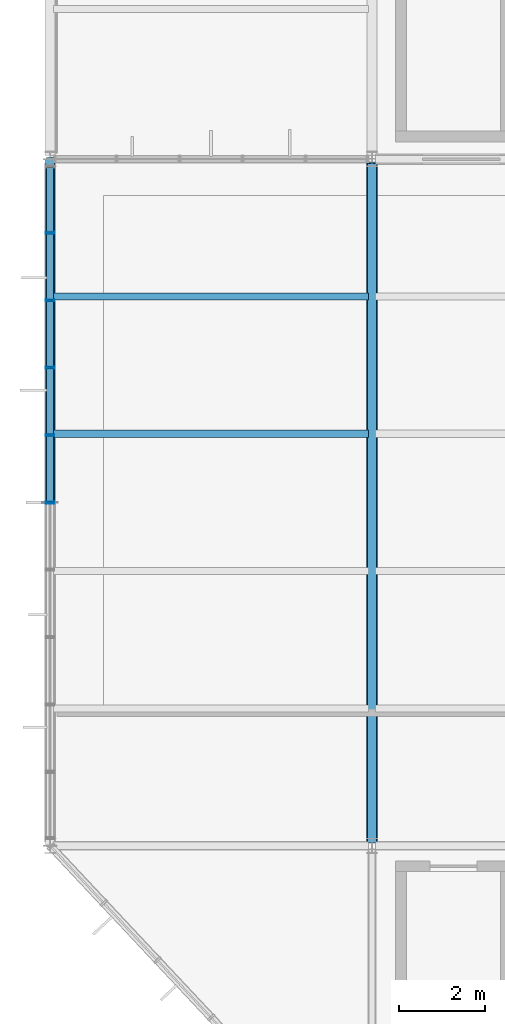
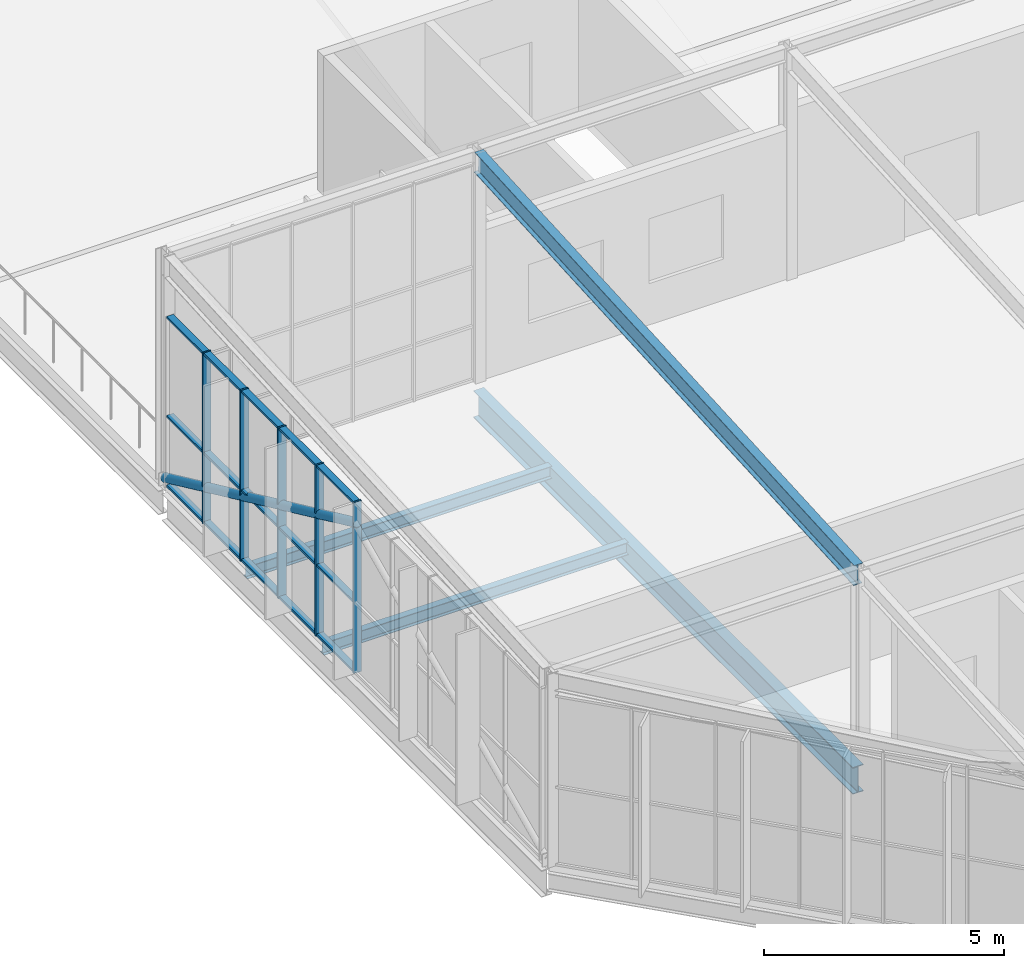
# One storey, part 16 of 104: 21 members, 4 beams, 1 element without a shape of its own.
"""IFC4 building model written with IfcOpenShell, lengths in metres."""

from ifc_helpers import new_model, si_unit, direction, frame, origin, origin_2d, place, context, subcontext, project, spatial, hollow_rectangle, hollow_circle, i_section, extrude, material, layer, layer_set, material_profile, profile_set, type_object, element, aggregate, save


model = new_model("IFC4")

# Units and contexts
model_context = context("Model", 3, precision=1e-05, world=origin(), true_north=direction((0.0, 1.0)))
body_context = subcontext(model_context, "Body", "Model", "MODEL_VIEW")
ifc_project = project(units=[si_unit("LENGTHUNIT", "METRE"), si_unit("AREAUNIT", "SQUARE_METRE"), si_unit("VOLUMEUNIT", "CUBIC_METRE"), si_unit("PLANEANGLEUNIT", "RADIAN"), si_unit("MASSUNIT", "GRAM", prefix="KILO")], contexts=[model_context])

# Site, building, storey
site_placement = place(None, origin())
site = spatial("IfcSite", under=ifc_project, at=site_placement, CompositionType="ELEMENT")
building_placement = place(site_placement, origin())
building = spatial("IfcBuilding", under=site, at=building_placement, Name="Solvenia Promenade Tram Depot", CompositionType="ELEMENT")
storey_placement = place(building_placement, frame((0.0, 0.0, 9.0)))
storey = spatial("IfcBuildingStorey", under=building, at=storey_placement, Name="L02", CompositionType="ELEMENT", Elevation=9.0)

# Member
ifc_material_1 = material(Name="Structural steel ASTM A500 Gr. C", Category="steel")
ifc_material_profile_1 = material_profile(ifc_material_1, hollow_circle(Radius=0.109619140625, WallThickness=0.008056640625, at=origin_2d()), Name="CHS219.1x8", Category="steel")
ifc_profile_set_1 = profile_set([ifc_material_profile_1], Name="Structural steel ASTM A500 Gr. C")
member_type_1 = type_object("IfcMemberType", Name="Brace-CHS219x8", PredefinedType="BRACE", material=ifc_profile_set_1)
member_1_placement = place(storey_placement, frame((0.0, 24.0, 0.10009765625), z_axis=(0.0, -0.907629151412, 0.419772942799), x_axis=(1.0, 0.0, 0.0)))
element("IfcMember", 1, at=member_1_placement, inside=storey, type_object=member_type_1, Name="PAC-DES Chevron Brace 14R", PredefinedType="BRACE", context=body_context, shape_type="SweptSolid", body=[
    extrude(hollow_circle(Radius=0.109619140625, WallThickness=0.008056640625, at=origin_2d()), origin(), (0.0, 0.0, 1.0), 8.814208984375),
])

# Curtain wall, members
ifc_material_2 = material(Name="Anodized aluminium AW-6063 T6", Category="aluminium")
ifc_layer = layer(ifc_material_2, 0.179931640625, Name="Anodized aluminium AW-6063 T6", Category="aluminium")
ifc_layer_set = layer_set([ifc_layer], Name="Anodized aluminium AW-6063 T6")
curtain_wall_type = type_object("IfcCurtainWallType", Name="CW-Solar-1500", PredefinedType="NOTDEFINED", material=ifc_layer_set)
curtain_wall_placement = place(storey_placement, origin())
curtain_wall = element("IfcCurtainWall", 2, at=curtain_wall_placement, inside=storey, type_object=curtain_wall_type, Name="Curtain Wall CW-V4W-L02", PredefinedType="NOTDEFINED")
ifc_material_profile_2 = material_profile(ifc_material_2, hollow_rectangle(XDim=0.199951171875, YDim=0.048095703125, WallThickness=0.00390625, at=origin_2d()), Name="ALU-M3", Category="aluminium")
ifc_profile_set_2 = profile_set([ifc_material_profile_2], Name="Anodized aluminium AW-6063 T6")
member_type_2 = type_object("IfcMemberType", Name="CWM-Mullion-3", PredefinedType="MULLION", material=ifc_profile_set_2)
member_2_placement = place(storey_placement, frame((0.0, 16.0, 0.0), z_axis=(0.0, 0.0, 1.0), x_axis=(-1.0, 0.0, 0.0)))
member_2 = element("IfcMember", 3, at=member_2_placement, type_object=member_type_2, Name="CW-7 mullion 6", PredefinedType="MULLION", context=body_context, shape_type="SweptSolid", body=[
    extrude(hollow_rectangle(XDim=0.199951171875, YDim=0.048095703125, WallThickness=0.00390625, at=origin_2d()), origin(), (0.0, 0.0, 1.0), 4.35009765625),
])
member_3_placement = place(storey_placement, frame((0.0, 17.570068359375, 0.0), z_axis=(0.0, 0.0, 1.0), x_axis=(-1.0, 0.0, 0.0)))
member_3 = element("IfcMember", 4, at=member_3_placement, type_object=member_type_2, Name="CW-7 mullion 7", PredefinedType="MULLION", context=body_context, shape_type="SweptSolid", body=[
    extrude(hollow_rectangle(XDim=0.199951171875, YDim=0.048095703125, WallThickness=0.00390625, at=origin_2d()), origin(), (0.0, 0.0, 1.0), 4.35009765625),
])
member_4_placement = place(storey_placement, frame((0.0, 19.139892578125, 0.0), z_axis=(0.0, 0.0, 1.0), x_axis=(-1.0, 0.0, 0.0)))
member_4 = element("IfcMember", 5, at=member_4_placement, type_object=member_type_2, Name="CW-7 mullion 8", PredefinedType="MULLION", context=body_context, shape_type="SweptSolid", body=[
    extrude(hollow_rectangle(XDim=0.199951171875, YDim=0.048095703125, WallThickness=0.00390625, at=origin_2d()), origin(), (0.0, 0.0, 1.0), 4.35009765625),
])
member_5_placement = place(storey_placement, frame((0.0, 20.7099609375, 0.0), z_axis=(0.0, 0.0, 1.0), x_axis=(-1.0, 0.0, 0.0)))
member_5 = element("IfcMember", 6, at=member_5_placement, type_object=member_type_2, Name="CW-7 mullion 9", PredefinedType="MULLION", context=body_context, shape_type="SweptSolid", body=[
    extrude(hollow_rectangle(XDim=0.199951171875, YDim=0.048095703125, WallThickness=0.00390625, at=origin_2d()), origin(), (0.0, 0.0, 1.0), 4.35009765625),
])
member_6_placement = place(storey_placement, frame((0.0, 22.280029296875, 0.0), z_axis=(0.0, 0.0, 1.0), x_axis=(-1.0, 0.0, 0.0)))
member_6 = element("IfcMember", 7, at=member_6_placement, type_object=member_type_2, Name="CW-7 mullion 10", PredefinedType="MULLION", context=body_context, shape_type="SweptSolid", body=[
    extrude(hollow_rectangle(XDim=0.199951171875, YDim=0.048095703125, WallThickness=0.00390625, at=origin_2d()), origin(), (0.0, 0.0, 1.0), 4.35009765625),
])
ifc_material_profile_3 = material_profile(ifc_material_2, hollow_rectangle(XDim=0.159912109375, YDim=0.05810546875, WallThickness=0.00390625, at=origin_2d()), Name="ALU-T3", Category="aluminium")
ifc_profile_set_3 = profile_set([ifc_material_profile_3], Name="Anodized aluminium AW-6063 T6")
member_type_3 = type_object("IfcMemberType", Name="CWT-Transom-3", PredefinedType="USERDEFINED", material=ifc_profile_set_3)
member_7_placement = place(storey_placement, frame((0.0, 16.02392578125, 0.029052734375), z_axis=(0.0, 1.0, 0.0), x_axis=(-1.0, 0.0, 0.0)))
member_7 = element("IfcMember", 8, at=member_7_placement, type_object=member_type_3, Name="CW-7 transom 6.1", ObjectType="TRANSOM", PredefinedType="USERDEFINED", context=body_context, shape_type="SweptSolid", body=[
    extrude(hollow_rectangle(XDim=0.159912109375, YDim=0.05810546875, WallThickness=0.00390625, at=origin_2d()), origin(), (0.0, 0.0, 1.0), 1.52197265625),
])
member_8_placement = place(storey_placement, frame((0.0, 16.02392578125, 1.800048828125), z_axis=(0.0, 1.0, 0.0), x_axis=(-1.0, 0.0, 0.0)))
member_8 = element("IfcMember", 9, at=member_8_placement, type_object=member_type_3, Name="CW-7 transom 6.2", ObjectType="TRANSOM", PredefinedType="USERDEFINED", context=body_context, shape_type="SweptSolid", body=[
    extrude(hollow_rectangle(XDim=0.159912109375, YDim=0.05810546875, WallThickness=0.00390625, at=origin_2d()), origin(), (0.0, 0.0, 1.0), 1.52197265625),
])
member_9_placement = place(storey_placement, frame((0.0, 16.02392578125, 4.321044921875), z_axis=(0.0, 1.0, 0.0), x_axis=(-1.0, 0.0, 0.0)))
member_9 = element("IfcMember", 10, at=member_9_placement, type_object=member_type_3, Name="CW-7 transom 6.3", ObjectType="TRANSOM", PredefinedType="USERDEFINED", context=body_context, shape_type="SweptSolid", body=[
    extrude(hollow_rectangle(XDim=0.159912109375, YDim=0.05810546875, WallThickness=0.00390625, at=origin_2d()), origin(), (0.0, 0.0, 1.0), 1.52197265625),
])
member_10_placement = place(storey_placement, frame((0.0, 17.593994140625, 0.029052734375), z_axis=(0.0, 1.0, 0.0), x_axis=(-1.0, 0.0, 0.0)))
member_10 = element("IfcMember", 11, at=member_10_placement, type_object=member_type_3, Name="CW-7 transom 7.1", ObjectType="TRANSOM", PredefinedType="USERDEFINED", context=body_context, shape_type="SweptSolid", body=[
    extrude(hollow_rectangle(XDim=0.159912109375, YDim=0.05810546875, WallThickness=0.00390625, at=origin_2d()), origin(), (0.0, 0.0, 1.0), 1.52197265625),
])
member_11_placement = place(storey_placement, frame((0.0, 17.593994140625, 1.800048828125), z_axis=(0.0, 1.0, 0.0), x_axis=(-1.0, 0.0, 0.0)))
member_11 = element("IfcMember", 12, at=member_11_placement, type_object=member_type_3, Name="CW-7 transom 7.2", ObjectType="TRANSOM", PredefinedType="USERDEFINED", context=body_context, shape_type="SweptSolid", body=[
    extrude(hollow_rectangle(XDim=0.159912109375, YDim=0.05810546875, WallThickness=0.00390625, at=origin_2d()), origin(), (0.0, 0.0, 1.0), 1.52197265625),
])
member_12_placement = place(storey_placement, frame((0.0, 17.593994140625, 4.321044921875), z_axis=(0.0, 1.0, 0.0), x_axis=(-1.0, 0.0, 0.0)))
member_12 = element("IfcMember", 13, at=member_12_placement, type_object=member_type_3, Name="CW-7 transom 7.3", ObjectType="TRANSOM", PredefinedType="USERDEFINED", context=body_context, shape_type="SweptSolid", body=[
    extrude(hollow_rectangle(XDim=0.159912109375, YDim=0.05810546875, WallThickness=0.00390625, at=origin_2d()), origin(), (0.0, 0.0, 1.0), 1.52197265625),
])
member_13_placement = place(storey_placement, frame((0.0, 19.1640625, 0.029052734375), z_axis=(0.0, 1.0, 0.0), x_axis=(-1.0, 0.0, 0.0)))
member_13 = element("IfcMember", 14, at=member_13_placement, type_object=member_type_3, Name="CW-7 transom 8.1", ObjectType="TRANSOM", PredefinedType="USERDEFINED", context=body_context, shape_type="SweptSolid", body=[
    extrude(hollow_rectangle(XDim=0.159912109375, YDim=0.05810546875, WallThickness=0.00390625, at=origin_2d()), origin(), (0.0, 0.0, 1.0), 1.52197265625),
])
member_14_placement = place(storey_placement, frame((0.0, 19.1640625, 1.800048828125), z_axis=(0.0, 1.0, 0.0), x_axis=(-1.0, 0.0, 0.0)))
member_14 = element("IfcMember", 15, at=member_14_placement, type_object=member_type_3, Name="CW-7 transom 8.2", ObjectType="TRANSOM", PredefinedType="USERDEFINED", context=body_context, shape_type="SweptSolid", body=[
    extrude(hollow_rectangle(XDim=0.159912109375, YDim=0.05810546875, WallThickness=0.00390625, at=origin_2d()), origin(), (0.0, 0.0, 1.0), 1.52197265625),
])
member_15_placement = place(storey_placement, frame((0.0, 19.1640625, 4.321044921875), z_axis=(0.0, 1.0, 0.0), x_axis=(-1.0, 0.0, 0.0)))
member_15 = element("IfcMember", 16, at=member_15_placement, type_object=member_type_3, Name="CW-7 transom 8.3", ObjectType="TRANSOM", PredefinedType="USERDEFINED", context=body_context, shape_type="SweptSolid", body=[
    extrude(hollow_rectangle(XDim=0.159912109375, YDim=0.05810546875, WallThickness=0.00390625, at=origin_2d()), origin(), (0.0, 0.0, 1.0), 1.52197265625),
])
member_16_placement = place(storey_placement, frame((0.0, 20.73388671875, 0.029052734375), z_axis=(0.0, 1.0, 0.0), x_axis=(-1.0, 0.0, 0.0)))
member_16 = element("IfcMember", 17, at=member_16_placement, type_object=member_type_3, Name="CW-7 transom 9.1", ObjectType="TRANSOM", PredefinedType="USERDEFINED", context=body_context, shape_type="SweptSolid", body=[
    extrude(hollow_rectangle(XDim=0.159912109375, YDim=0.05810546875, WallThickness=0.00390625, at=origin_2d()), origin(), (0.0, 0.0, 1.0), 1.522216796875),
])
member_17_placement = place(storey_placement, frame((0.0, 20.73388671875, 1.800048828125), z_axis=(0.0, 1.0, 0.0), x_axis=(-1.0, 0.0, 0.0)))
member_17 = element("IfcMember", 18, at=member_17_placement, type_object=member_type_3, Name="CW-7 transom 9.2", ObjectType="TRANSOM", PredefinedType="USERDEFINED", context=body_context, shape_type="SweptSolid", body=[
    extrude(hollow_rectangle(XDim=0.159912109375, YDim=0.05810546875, WallThickness=0.00390625, at=origin_2d()), origin(), (0.0, 0.0, 1.0), 1.522216796875),
])
member_18_placement = place(storey_placement, frame((0.0, 20.73388671875, 4.321044921875), z_axis=(0.0, 1.0, 0.0), x_axis=(-1.0, 0.0, 0.0)))
member_18 = element("IfcMember", 19, at=member_18_placement, type_object=member_type_3, Name="CW-7 transom 9.3", ObjectType="TRANSOM", PredefinedType="USERDEFINED", context=body_context, shape_type="SweptSolid", body=[
    extrude(hollow_rectangle(XDim=0.159912109375, YDim=0.05810546875, WallThickness=0.00390625, at=origin_2d()), origin(), (0.0, 0.0, 1.0), 1.522216796875),
])
member_19_placement = place(storey_placement, frame((0.0, 22.303955078125, 0.029052734375), z_axis=(0.0, 1.0, 0.0), x_axis=(-1.0, 0.0, 0.0)))
member_19 = element("IfcMember", 20, at=member_19_placement, type_object=member_type_3, Name="CW-7 transom 10.1", ObjectType="TRANSOM", PredefinedType="USERDEFINED", context=body_context, shape_type="SweptSolid", body=[
    extrude(hollow_rectangle(XDim=0.159912109375, YDim=0.05810546875, WallThickness=0.00390625, at=origin_2d()), origin(), (0.0, 0.0, 1.0), 1.498046875),
])
member_20_placement = place(storey_placement, frame((0.0, 22.303955078125, 1.800048828125), z_axis=(0.0, 1.0, 0.0), x_axis=(-1.0, 0.0, 0.0)))
member_20 = element("IfcMember", 21, at=member_20_placement, type_object=member_type_3, Name="CW-7 transom 10.2", ObjectType="TRANSOM", PredefinedType="USERDEFINED", context=body_context, shape_type="SweptSolid", body=[
    extrude(hollow_rectangle(XDim=0.159912109375, YDim=0.05810546875, WallThickness=0.00390625, at=origin_2d()), origin(), (0.0, 0.0, 1.0), 1.498046875),
])
member_21_placement = place(storey_placement, frame((0.0, 22.303955078125, 4.321044921875), z_axis=(0.0, 1.0, 0.0), x_axis=(-1.0, 0.0, 0.0)))
member_21 = element("IfcMember", 22, at=member_21_placement, type_object=member_type_3, Name="CW-7 transom 10.3", ObjectType="TRANSOM", PredefinedType="USERDEFINED", context=body_context, shape_type="SweptSolid", body=[
    extrude(hollow_rectangle(XDim=0.159912109375, YDim=0.05810546875, WallThickness=0.00390625, at=origin_2d()), origin(), (0.0, 0.0, 1.0), 1.498046875),
])
aggregate(curtain_wall, [member_2, member_3, member_4, member_5, member_6, member_7, member_8, member_9, member_10, member_11, member_12, member_13, member_14, member_15, member_16, member_17, member_18, member_19, member_20, member_21])

# Beams
ifc_material_3 = material(Name="Structural steel ASTM A992 Gr. 50", Category="steel")
ifc_material_profile_4 = material_profile(ifc_material_3, i_section(OverallWidth=0.2099609375, OverallDepth=0.537109375, WebThickness=0.010986328125, FlangeThickness=0.017333984375, FilletRadius=0.013916015625, at=origin_2d()), Name="W530x101", Category="steel")
ifc_profile_set_4 = profile_set([ifc_material_profile_4], Name="Structural steel ASTM A992 Gr. 50")
beam_type_1 = type_object("IfcBeamType", Name="Gird-W530x101", PredefinedType="BEAM", material=ifc_profile_set_4)
beam_1_placement = place(storey_placement, frame((7.5, 8.0849609375, 4.658203125), z_axis=(0.0, 0.998266347418, 0.058858301144), x_axis=(-1.0, 0.0, 0.0)))
element("IfcBeam", 23, at=beam_1_placement, inside=storey, type_object=beam_type_1, Name="Folded Wing Main Rafter BM-L02-0845", PredefinedType="BEAM", context=body_context, shape_type="SweptSolid", body=[
    extrude(i_section(OverallWidth=0.2099609375, OverallDepth=0.537109375, WebThickness=0.010986328125, FlangeThickness=0.017333984375, FilletRadius=0.013916015625, at=origin_2d()), origin(), (0.0, 0.0, 1.0), 15.857666015625),
])
ifc_material_profile_5 = material_profile(ifc_material_3, i_section(OverallWidth=0.25390625, OverallDepth=0.68408203125, WebThickness=0.012451171875, FlangeThickness=0.018798828125, FilletRadius=0.01611328125, at=origin_2d()), Name="W690x140", Category="steel")
ifc_profile_set_5 = profile_set([ifc_material_profile_5], Name="Structural steel ASTM A992 Gr. 50")
beam_type_2 = type_object("IfcBeamType", Name="Gird-W690x140", PredefinedType="BEAM", material=ifc_profile_set_5)
beam_2_placement = place(storey_placement, frame((7.5, 8.0849609375, -0.56201171875), z_axis=(0.0, 1.0, 0.0), x_axis=(-1.0, 0.0, 0.0)))
element("IfcBeam", 24, at=beam_2_placement, inside=storey, type_object=beam_type_2, Name="Transverse Girder BM-L02-0545", PredefinedType="BEAM", context=body_context, shape_type="SweptSolid", body=[
    extrude(i_section(OverallWidth=0.25390625, OverallDepth=0.68408203125, WebThickness=0.012451171875, FlangeThickness=0.018798828125, FilletRadius=0.01611328125, at=origin_2d()), origin(), (0.0, 0.0, 1.0), 15.830078125),
])
ifc_material_profile_6 = material_profile(ifc_material_3, i_section(OverallWidth=0.166015625, OverallDepth=0.31298828125, WebThickness=0.006591796875, FlangeThickness=0.01123046875, FilletRadius=0.010009765625, at=origin_2d()), Name="W310x45", Category="steel")
ifc_profile_set_6 = profile_set([ifc_material_profile_6], Name="Structural steel ASTM A992 Gr. 50")
beam_type_3 = type_object("IfcBeamType", Name="Joist-W310x45", PredefinedType="JOIST", material=ifc_profile_set_6)
for number, where, z_axis, x_axis, name in (
    (25, (0.0849609375, 17.60009765625, -0.37646484375), (1.0, 0.0, 0.0), (0.0, 1.0, 0.0), "Secondary Floor Joist BM-L02-0561"),
    (26, (0.0849609375, 20.800048828125, -0.37646484375), (1.0, 0.0, 0.0), (0.0, 1.0, 0.0), "Secondary Floor Joist BM-L02-0562"),
):
    element("IfcBeam", number, at=place(storey_placement, frame(where, z_axis=z_axis, x_axis=x_axis)), inside=storey, type_object=beam_type_3, Name=name, PredefinedType="JOIST", context=body_context, shape_type="SweptSolid", body=[
        extrude(i_section(OverallWidth=0.166015625, OverallDepth=0.31298828125, WebThickness=0.006591796875, FlangeThickness=0.01123046875, FilletRadius=0.010009765625, at=origin_2d()), origin(), (0.0, 0.0, 1.0), 7.330078125),
    ])

save(model, "model.ifc")
